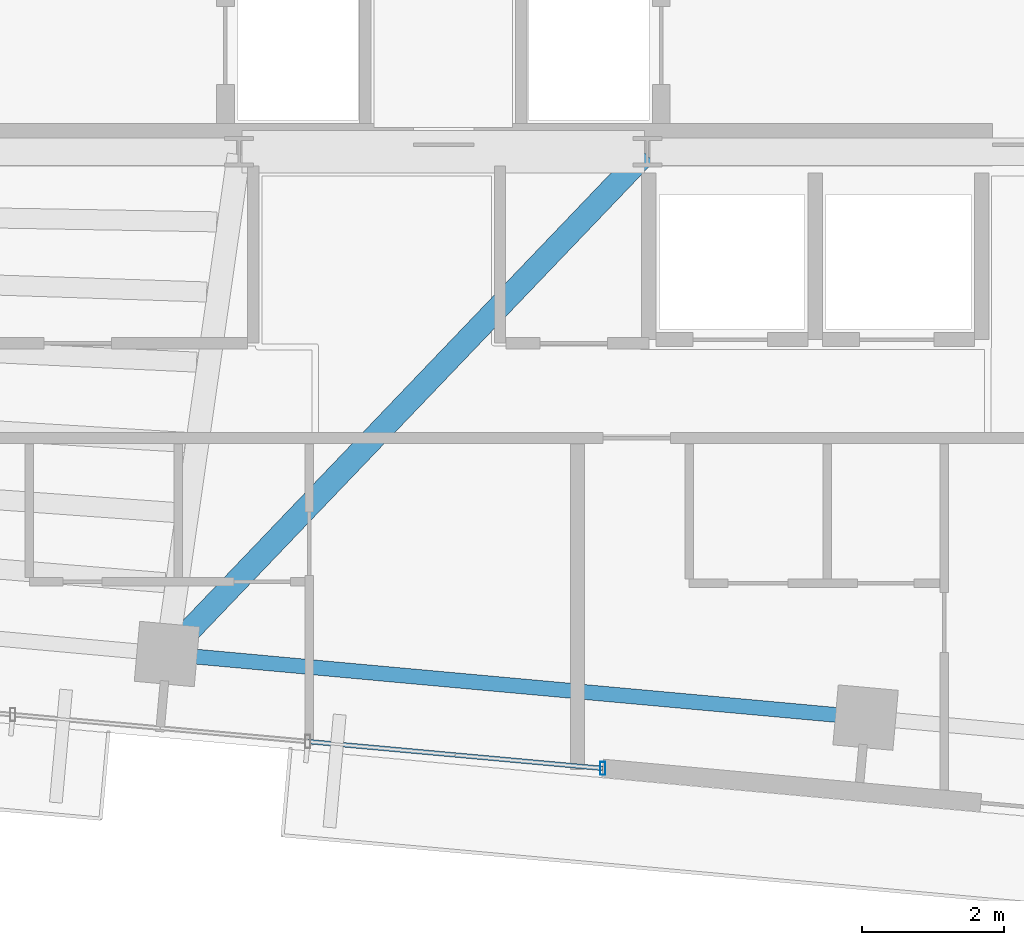
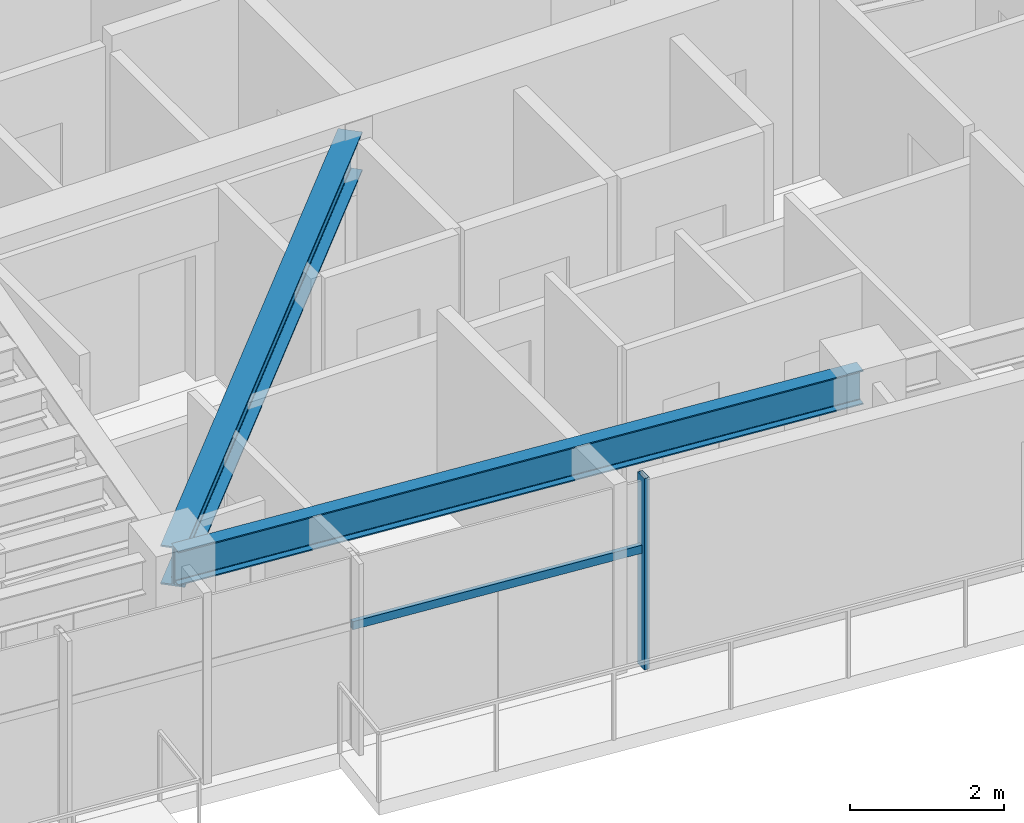
# One storey, part 7 of 22: 2 beams, 2 members, 1 element without a shape of its own.
"""IFC4 building model written with IfcOpenShell, lengths in metres."""

from ifc_helpers import new_model, si_unit, direction, frame, origin, origin_2d, place, context, subcontext, project, spatial, hollow_rectangle, i_section, extrude, source, transform, mapped, material, material_profile, profile_set, type_object, type_shapes, element, aggregate, save


model = new_model("IFC4")

# Units and contexts
model_context = context("Model", 3, precision=1e-05, world=origin(), true_north=direction((0.0, 1.0)))
body_context = subcontext(model_context, "Body", "Model", "MODEL_VIEW")
ifc_project = project(units=[si_unit("LENGTHUNIT", "METRE"), si_unit("AREAUNIT", "SQUARE_METRE"), si_unit("VOLUMEUNIT", "CUBIC_METRE"), si_unit("PLANEANGLEUNIT", "RADIAN"), si_unit("MASSUNIT", "GRAM", prefix="KILO")], contexts=[model_context])

# Site, building, storey
site_placement = place(None, origin())
site = spatial("IfcSite", under=ifc_project, at=site_placement, CompositionType="ELEMENT")
building_placement = place(site_placement, origin())
building = spatial("IfcBuilding", under=site, at=building_placement, Name="Astriad Promenade Condominiums", CompositionType="ELEMENT")
storey_placement = place(building_placement, frame((0.0, 0.0, 229.800048828125)))
storey = spatial("IfcBuildingStorey", under=building, at=storey_placement, Name="L66", CompositionType="ELEMENT", Elevation=229.800048828125)

# Beams
ifc_material_1 = material(Name="Steel ASTM A992 Grade 50", Category="steel")
ifc_material_profile_1 = material_profile(ifc_material_1, i_section(OverallWidth=0.210693359375, OverallDepth=0.53955078125, WebThickness=0.01171875, FlangeThickness=0.018798828125, FilletRadius=0.0166015625, at=origin_2d()), Name="W21X73")
ifc_profile_set_1 = profile_set([ifc_material_profile_1], Name="Steel ASTM A992 Grade 50")
beam_type_1 = type_object("IfcBeamType", Name="STEEL SPANDREL BEAM W21X73", PredefinedType="SPANDREL", material=ifc_profile_set_1)
shared_shape_1 = source(origin(), body_context, "Body", "SweptSolid", [
    extrude(i_section(OverallWidth=0.210693359375, OverallDepth=0.53955078125, WebThickness=0.01171875, FlangeThickness=0.018798828125, FilletRadius=0.0166015625, at=origin_2d()), origin(), (0.0, 0.0, 1.0), 9.820068359375),
])
type_shapes(beam_type_1, [shared_shape_1])
beam_1_placement = place(storey_placement, frame((32.14013671875, 10.30810546875, 2.770263671875), z_axis=(0.995885663174, -0.090618683965, 0.0), x_axis=(0.090618683965, 0.995885663174, 0.0)))
element("IfcBeam", 1, at=beam_1_placement, inside=storey, type_object=beam_type_1, Name="Perimeter Spandrel Beam SP-S3-L66", PredefinedType="SPANDREL", context=body_context, shape_type="MappedRepresentation", body=[
    mapped(shared_shape_1, transform((0.0, 0.0, 0.0), scale=1.0)),
])
ifc_material_profile_2 = material_profile(ifc_material_1, i_section(OverallWidth=0.326416015625, OverallDepth=0.621826171875, WebThickness=0.015380859375, FlangeThickness=0.0244140625, FilletRadius=0.017822265625, at=origin_2d()), Name="W24X131")
ifc_profile_set_2 = profile_set([ifc_material_profile_2], Name="Steel ASTM A992 Grade 50")
beam_type_2 = type_object("IfcBeamType", Name="STEEL FLOOR GIRDER W24X131", PredefinedType="BEAM", material=ifc_profile_set_2)
shared_shape_2 = source(origin(), body_context, "Body", "SweptSolid", [
    extrude(i_section(OverallWidth=0.326416015625, OverallDepth=0.621826171875, WebThickness=0.015380859375, FlangeThickness=0.0244140625, FilletRadius=0.017822265625, at=origin_2d()), origin(), (0.0, 0.0, 1.0), 9.728515625),
])
type_shapes(beam_type_2, [shared_shape_2])
beam_2_placement = place(storey_placement, frame((32.1279296875, 10.3408203125, 2.72900390625), z_axis=(0.691209540622, 0.722654392468, 0.0), x_axis=(-0.722654392468, 0.691209540622, 0.0)))
element("IfcBeam", 2, at=beam_2_placement, inside=storey, type_object=beam_type_2, Name="Primary Floor Girder PG-C2-L66", PredefinedType="BEAM", context=body_context, shape_type="MappedRepresentation", body=[
    mapped(shared_shape_2, transform((0.0, 0.0, 0.0), scale=1.0)),
])

# Curtain wall, members
ifc_material_2 = material(Name="Anodised aluminium Black Dark Glass Unitised", Category="aluminium")
curtain_wall_type = type_object("IfcCurtainWallType", Name="CW-B5-DARK", PredefinedType="USERDEFINED", material=ifc_material_2)
curtain_wall_placement = place(storey_placement, origin())
curtain_wall = element("IfcCurtainWall", 3, at=curtain_wall_placement, inside=storey, type_object=curtain_wall_type, Name="CW-L66-S", ObjectType="UNITISED_CURTAIN_WALL", PredefinedType="USERDEFINED")
ifc_material_3 = material(Name="Anodised aluminium 6063-T6 Black", Category="aluminium")
ifc_material_profile_3 = material_profile(ifc_material_3, hollow_rectangle(XDim=0.06494140625, YDim=0.1298828125, WallThickness=0.00390625, at=origin_2d()), Name="ALU-TRN-65X130")
ifc_profile_set_3 = profile_set([ifc_material_profile_3], Name="Anodised aluminium 6063-T6 Black")
member_type_1 = type_object("IfcMemberType", Name="TRN-ALU-TRN-65X130", PredefinedType="USERDEFINED", material=ifc_profile_set_3)
shared_shape_3 = source(origin(), body_context, "Body", "SweptSolid", [
    extrude(hollow_rectangle(XDim=0.06494140625, YDim=0.1298828125, WallThickness=0.00390625, at=origin_2d()), origin(), (0.0, 0.0, 1.0), 4.179931640625),
])
type_shapes(member_type_1, [shared_shape_3])
member_1_placement = place(storey_placement, frame((38.24951171875, 8.69775390625, 1.884765625), z_axis=(-0.995883146811, 0.090646334165, 0.0), x_axis=(-0.090646334165, -0.995883146811, 0.0)))
member_1 = element("IfcMember", 4, at=member_1_placement, type_object=member_type_1, Name="CW-L66-S-TRN-00-0", ObjectType="TRANSOM", PredefinedType="USERDEFINED", context=body_context, shape_type="MappedRepresentation", body=[
    mapped(shared_shape_3, transform((0.0, 0.0, 0.0), scale=1.0)),
])
ifc_material_profile_4 = material_profile(ifc_material_3, hollow_rectangle(XDim=0.074951171875, YDim=0.18505859375, WallThickness=0.00439453125, at=origin_2d()), Name="ALU-MUL-75X185")
ifc_profile_set_4 = profile_set([ifc_material_profile_4], Name="Anodised aluminium 6063-T6 Black")
member_type_2 = type_object("IfcMemberType", Name="MUL-ALU-MUL-75X185", PredefinedType="MULLION", material=ifc_profile_set_4)
shared_shape_4 = source(origin(), body_context, "Body", "SweptSolid", [
    extrude(hollow_rectangle(XDim=0.074951171875, YDim=0.18505859375, WallThickness=0.00439453125, at=origin_2d()), origin(), (0.0, 0.0, 1.0), 3.0400390625),
])
type_shapes(member_type_2, [shared_shape_4])
member_2_placement = place(storey_placement, frame((38.24951171875, 8.69775390625, 0.0), z_axis=(0.0, 0.0, 1.0), x_axis=(1.0, 0.0, 0.0)))
member_2 = element("IfcMember", 5, at=member_2_placement, type_object=member_type_2, Name="CW-L66-S-MUL-00", PredefinedType="MULLION", context=body_context, shape_type="MappedRepresentation", body=[
    mapped(shared_shape_4, transform((0.0, 0.0, 0.0), scale=1.0)),
])
aggregate(curtain_wall, [member_2, member_1])

save(model, "model.ifc")
